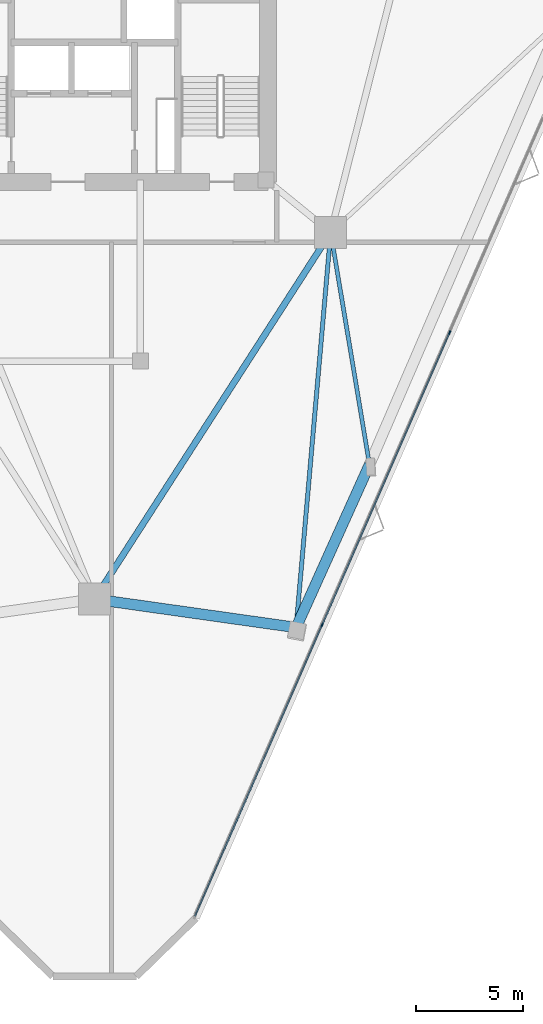
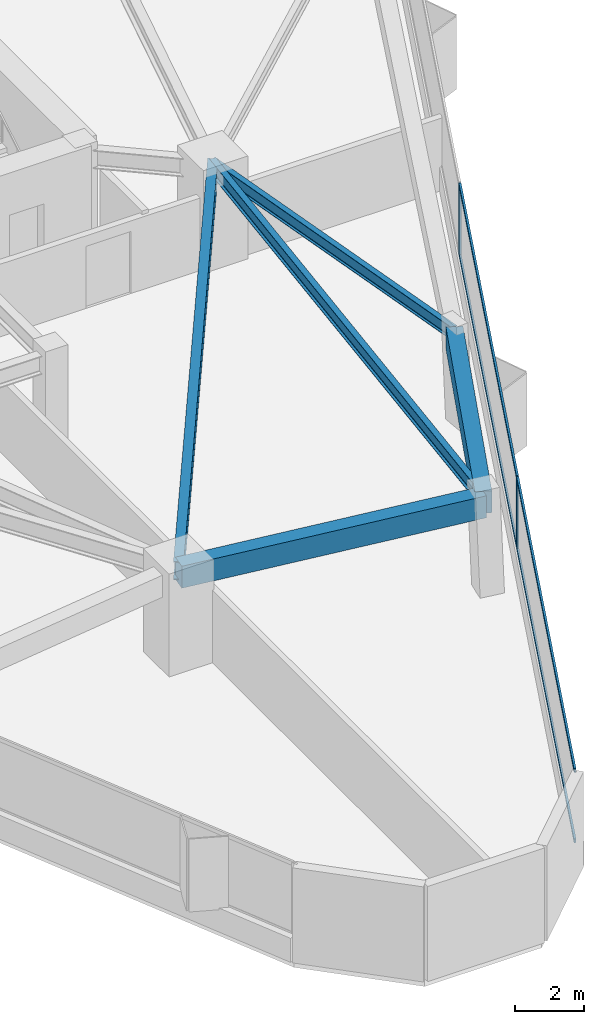
# One storey, part 3 of 16: 6 members, 5 beams, 1 element without a shape of its own.
"""IFC4 building model written with IfcOpenShell, lengths in metres."""

from ifc_helpers import new_model, si_unit, direction, frame, origin, origin_2d, place, context, subcontext, project, spatial, rectangle, i_section, extrude, material, layer, layer_set, material_profile, profile_set, type_object, element, aggregate, save


model = new_model("IFC4")

# Units and contexts
model_context = context("Model", 3, precision=1e-05, world=origin(), true_north=direction((0.0, 1.0)))
body_context = subcontext(model_context, "Body", "Model", "MODEL_VIEW")
ifc_project = project(units=[si_unit("LENGTHUNIT", "METRE"), si_unit("AREAUNIT", "SQUARE_METRE"), si_unit("VOLUMEUNIT", "CUBIC_METRE"), si_unit("PLANEANGLEUNIT", "RADIAN"), si_unit("MASSUNIT", "GRAM", prefix="KILO")], contexts=[model_context])

# Site, building, storey
site_placement = place(None, origin())
site = spatial("IfcSite", under=ifc_project, at=site_placement, CompositionType="ELEMENT")
building_placement = place(site_placement, origin())
building = spatial("IfcBuilding", under=site, at=building_placement, Name="Talyreon Biosciences Tower", CompositionType="ELEMENT")
storey_placement = place(building_placement, frame((0.0, 0.0, 134.5)))
storey = spatial("IfcBuildingStorey", under=building, at=storey_placement, Name="L35", CompositionType="ELEMENT", Elevation=134.5)

# Curtain wall, members
ifc_material_1 = material(Name="Thermally broken aluminium and low-E glazing", Category="aluminium")
ifc_layer = layer(ifc_material_1, 0.18505859375)
ifc_layer_set = layer_set([ifc_layer], Name="Thermally broken aluminium and low-E glazing")
curtain_wall_type = type_object("IfcCurtainWallType", Name="CurtainWall_Zone3Bioprocess", PredefinedType="NOTDEFINED", material=ifc_layer_set)
curtain_wall_placement = place(storey_placement, origin())
curtain_wall = element("IfcCurtainWall", 1, at=curtain_wall_placement, inside=storey, type_object=curtain_wall_type, Name="L35 Unitised Curtain Wall FCW-L35-08", PredefinedType="NOTDEFINED")
ifc_material_2 = material(Name="Anodised thermally broken aluminium", Category="aluminium")
ifc_material_profile_1 = material_profile(ifc_material_2, rectangle(XDim=0.06494140625, YDim=0.179931640625, at=origin_2d()), Name="ALUM MULLION 65x180")
ifc_profile_set_1 = profile_set([ifc_material_profile_1], Name="Anodised thermally broken aluminium")
member_type_1 = type_object("IfcMemberType", Name="CWMullion_65x180", PredefinedType="MULLION", material=ifc_profile_set_1)
member_1_placement = place(storey_placement, frame((82.671630859375, 54.18212890625, 0.81005859375), z_axis=(0.0, 0.0, 1.0), x_axis=(0.916566441856, -0.399882429801, 0.0)))
member_1 = element("IfcMember", 2, at=member_1_placement, type_object=member_type_1, Name="CW4 mullion 3", PredefinedType="MULLION", context=body_context, shape_type="SweptSolid", body=[
    extrude(rectangle(XDim=0.06494140625, YDim=0.179931640625, at=origin_2d()), origin(), (0.0, 0.0, 1.0), 2.56494140625),
])
member_2_placement = place(storey_placement, frame((76.68212890625, 40.453857421875, 0.81005859375), z_axis=(0.0, 0.0, 1.0), x_axis=(0.916566441856, -0.399882429801, 0.0)))
member_2 = element("IfcMember", 3, at=member_2_placement, type_object=member_type_1, Name="CW4 mullion 4", PredefinedType="MULLION", context=body_context, shape_type="SweptSolid", body=[
    extrude(rectangle(XDim=0.06494140625, YDim=0.179931640625, at=origin_2d()), origin(), (0.0, 0.0, 1.0), 2.56494140625),
])
ifc_material_profile_2 = material_profile(ifc_material_2, rectangle(XDim=0.06494140625, YDim=0.139892578125, at=origin_2d()), Name="ALUM TRANSOM 65x140")
ifc_profile_set_2 = profile_set([ifc_material_profile_2], Name="Anodised thermally broken aluminium")
member_type_2 = type_object("IfcMemberType", Name="CWTransom_65x140", PredefinedType="USERDEFINED", material=ifc_profile_set_2)
member_3_placement = place(storey_placement, frame((82.65869140625, 54.15234375, 0.842529296875), z_axis=(-0.399879943614, -0.916567526533, 0.0), x_axis=(0.916567526533, -0.399879943614, 0.0)))
member_3 = element("IfcMember", 4, at=member_3_placement, type_object=member_type_2, Name="CW4 transom 3.1", ObjectType="TRANSOM", PredefinedType="USERDEFINED", context=body_context, shape_type="SweptSolid", body=[
    extrude(rectangle(XDim=0.06494140625, YDim=0.139892578125, at=origin_2d()), origin(), (0.0, 0.0, 1.0), 14.912841796875),
])
member_4_placement = place(storey_placement, frame((82.65869140625, 54.15234375, 3.342529296875), z_axis=(-0.399879943614, -0.916567526533, 0.0), x_axis=(0.916567526533, -0.399879943614, 0.0)))
member_4 = element("IfcMember", 5, at=member_4_placement, type_object=member_type_2, Name="CW4 transom 3.2", ObjectType="TRANSOM", PredefinedType="USERDEFINED", context=body_context, shape_type="SweptSolid", body=[
    extrude(rectangle(XDim=0.06494140625, YDim=0.139892578125, at=origin_2d()), origin(), (0.0, 0.0, 1.0), 14.912841796875),
])
member_5_placement = place(storey_placement, frame((76.669189453125, 40.424072265625, 0.842529296875), z_axis=(-0.39988306059, -0.916566166653, 0.0), x_axis=(0.916566166653, -0.39988306059, 0.0)))
member_5 = element("IfcMember", 6, at=member_5_placement, type_object=member_type_2, Name="CW4 transom 4.1", ObjectType="TRANSOM", PredefinedType="USERDEFINED", context=body_context, shape_type="SweptSolid", body=[
    extrude(rectangle(XDim=0.06494140625, YDim=0.139892578125, at=origin_2d()), origin(), (0.0, 0.0, 1.0), 14.88037109375),
])
member_6_placement = place(storey_placement, frame((76.669189453125, 40.424072265625, 3.342529296875), z_axis=(-0.39988306059, -0.916566166653, 0.0), x_axis=(0.916566166653, -0.39988306059, 0.0)))
member_6 = element("IfcMember", 7, at=member_6_placement, type_object=member_type_2, Name="CW4 transom 4.2", ObjectType="TRANSOM", PredefinedType="USERDEFINED", context=body_context, shape_type="SweptSolid", body=[
    extrude(rectangle(XDim=0.06494140625, YDim=0.139892578125, at=origin_2d()), origin(), (0.0, 0.0, 1.0), 14.88037109375),
])
aggregate(curtain_wall, [member_1, member_2, member_3, member_4, member_5, member_6])

# Beams
ifc_material_3 = material(Name="Precast concrete C45/55", Category="concrete")
ifc_material_profile_3 = material_profile(ifc_material_3, rectangle(XDim=0.5, YDim=0.780029296875, at=origin_2d()), Name="RCB 500x780")
ifc_profile_set_3 = profile_set([ifc_material_profile_3], Name="Precast concrete C45/55")
beam_type_1 = type_object("IfcBeamType", Name="ExpressedSpandrel_500x780", PredefinedType="SPANDREL", material=ifc_profile_set_3)
beam_1_placement = place(storey_placement, frame((66.0, 41.6669921875, 2.985107421875), z_axis=(0.990200346708, -0.139654120526, 0.0), x_axis=(0.139654120526, 0.990200346708, 0.0)))
element("IfcBeam", 8, at=beam_1_placement, inside=storey, type_object=beam_type_1, Name="L35 Expressed Horizontal Concrete Spandrel 01", PredefinedType="SPANDREL", context=body_context, shape_type="SweptSolid", body=[
    extrude(rectangle(XDim=0.5, YDim=0.780029296875, at=origin_2d()), origin(), (0.0, 0.0, 1.0), 9.5556640625),
])
beam_2_placement = place(storey_placement, frame((75.4619140625, 40.33251953125, 2.985107421875), z_axis=(0.410783354105, 0.911732985029, 0.0), x_axis=(-0.911732985029, 0.410783354105, 0.0)))
element("IfcBeam", 9, at=beam_2_placement, inside=storey, type_object=beam_type_1, Name="L35 Expressed Horizontal Concrete Spandrel 02", PredefinedType="SPANDREL", context=body_context, shape_type="SweptSolid", body=[
    extrude(rectangle(XDim=0.5, YDim=0.780029296875, at=origin_2d()), origin(), (0.0, 0.0, 1.0), 8.388427734375),
])
ifc_material_4 = material(Name="Steel SM355", Category="steel")
ifc_material_profile_4 = material_profile(ifc_material_4, i_section(OverallWidth=0.300048828125, OverallDepth=0.64990234375, WebThickness=0.01611328125, FlangeThickness=0.031005859375, FilletRadius=0.027099609375, at=origin_2d()), Name="HE650B")
ifc_profile_set_4 = profile_set([ifc_material_profile_4], Name="Steel SM355")
beam_type_2 = type_object("IfcBeamType", Name="SteelBeam_HE650B", PredefinedType="BEAM", material=ifc_profile_set_4)
beam_3_placement = place(storey_placement, frame((66.0, 41.6669921875, 3.050048828125), z_axis=(0.541463723609, 0.840724114092, 0.0), x_axis=(-0.840724114092, 0.541463723609, 0.0)))
element("IfcBeam", 10, at=beam_3_placement, inside=storey, type_object=beam_type_2, Name="L35 Mega-Ring Girder 1", PredefinedType="BEAM", context=body_context, shape_type="SweptSolid", body=[
    extrude(i_section(OverallWidth=0.300048828125, OverallDepth=0.64990234375, WebThickness=0.01611328125, FlangeThickness=0.031005859375, FilletRadius=0.027099609375, at=origin_2d()), origin(), (0.0, 0.0, 1.0), 20.474365234375),
])
ifc_material_profile_5 = material_profile(ifc_material_4, i_section(OverallWidth=0.18994140625, OverallDepth=0.449951171875, WebThickness=0.009521484375, FlangeThickness=0.0146484375, FilletRadius=0.02099609375, at=origin_2d()), Name="IPE450")
ifc_profile_set_5 = profile_set([ifc_material_profile_5], Name="Steel SM355")
beam_type_3 = type_object("IfcBeamType", Name="SteelJoist_IPE450", PredefinedType="JOIST", material=ifc_profile_set_5)
beam_4_placement = place(storey_placement, frame((77.086181640625, 58.88037109375, 3.14990234375), z_axis=(0.164828871268, -0.986322180221, 0.0), x_axis=(0.986322180221, 0.164828871268, 0.0)))
element("IfcBeam", 11, at=beam_4_placement, inside=storey, type_object=beam_type_3, Name="L35 Radial Composite Floor Joist PL-SE", PredefinedType="JOIST", context=body_context, shape_type="SweptSolid", body=[
    extrude(i_section(OverallWidth=0.18994140625, OverallDepth=0.449951171875, WebThickness=0.009521484375, FlangeThickness=0.0146484375, FilletRadius=0.02099609375, at=origin_2d()), origin(), (0.0, 0.0, 1.0), 11.051025390625),
])
ifc_material_profile_6 = material_profile(ifc_material_4, i_section(OverallWidth=0.199951171875, OverallDepth=0.5, WebThickness=0.01025390625, FlangeThickness=0.01611328125, FilletRadius=0.02099609375, at=origin_2d()), Name="IPE500")
ifc_profile_set_6 = profile_set([ifc_material_profile_6], Name="Steel SM355")
beam_type_4 = type_object("IfcBeamType", Name="SteelJoist_IPE500", PredefinedType="JOIST", material=ifc_profile_set_6)
beam_5_placement = place(storey_placement, frame((77.086181640625, 58.88037109375, 3.125), z_axis=(-0.087237870534, -0.99618750943, 0.0), x_axis=(0.99618750943, -0.087237870534, 0.0)))
element("IfcBeam", 12, at=beam_5_placement, inside=storey, type_object=beam_type_4, Name="L35 Radial Composite Floor Joist PC-SE1", PredefinedType="JOIST", context=body_context, shape_type="SweptSolid", body=[
    extrude(i_section(OverallWidth=0.199951171875, OverallDepth=0.5, WebThickness=0.01025390625, FlangeThickness=0.01611328125, FilletRadius=0.02099609375, at=origin_2d()), origin(), (0.0, 0.0, 1.0), 18.618896484375),
])

save(model, "model.ifc")
